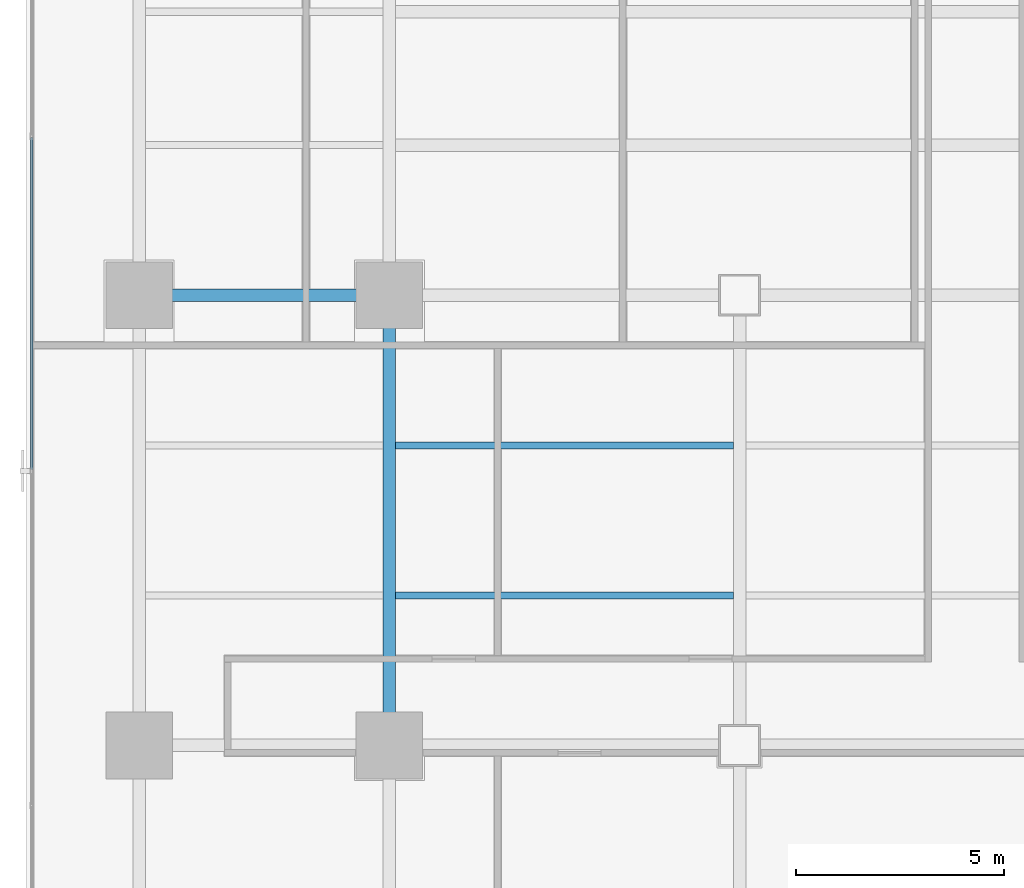
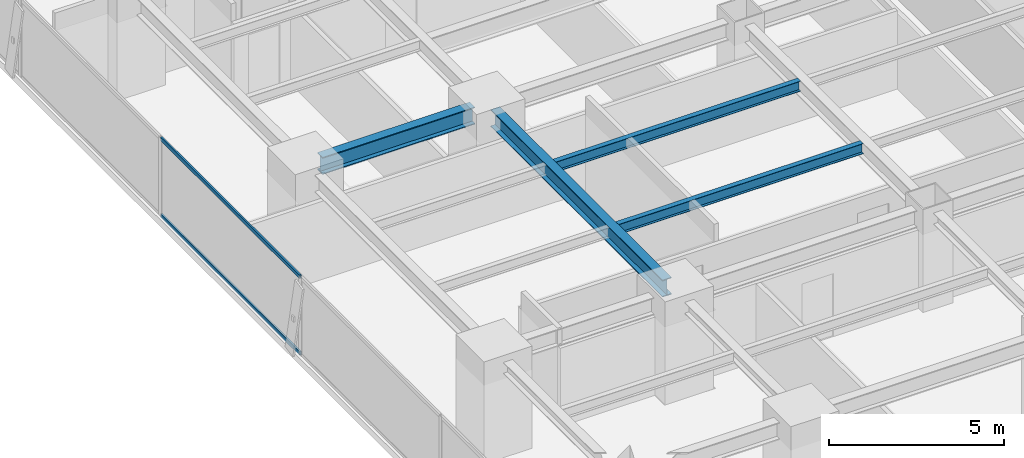
# One storey, part 9 of 34: 4 beams, 2 members, 1 element without a shape of its own.
"""IFC4 building model written with IfcOpenShell, lengths in metres."""

from ifc_helpers import new_model, si_unit, direction, frame, origin, origin_2d, place, context, subcontext, project, spatial, hollow_rectangle, i_section, extrude, source, transform, mapped, material, layer, layer_set, material_profile, profile_set, type_object, element, aggregate, save


model = new_model("IFC4")

# Units and contexts
model_context = context("Model", 3, precision=1e-05, world=origin(), true_north=direction((0.0, 1.0)))
body_context = subcontext(model_context, "Body", "Model", "MODEL_VIEW")
ifc_project = project(units=[si_unit("LENGTHUNIT", "METRE"), si_unit("AREAUNIT", "SQUARE_METRE"), si_unit("VOLUMEUNIT", "CUBIC_METRE"), si_unit("PLANEANGLEUNIT", "RADIAN"), si_unit("MASSUNIT", "GRAM", prefix="KILO")], contexts=[model_context])

# Site, building, storey
site_placement = place(None, origin())
site = spatial("IfcSite", under=ifc_project, at=site_placement, CompositionType="ELEMENT")
building_placement = place(site_placement, origin())
building = spatial("IfcBuilding", under=site, at=building_placement, Name="Sumidabori Civic Tower", CompositionType="ELEMENT")
storey_placement = place(building_placement, frame((0.0, 0.0, 99.199951171875)))
storey = spatial("IfcBuildingStorey", under=building, at=storey_placement, Name="L25", CompositionType="ELEMENT", Elevation=99.199951171875)

# Beams
ifc_material_1 = material(Name="Steel SN490", Category="steel")
ifc_material_profile_1 = material_profile(ifc_material_1, i_section(OverallWidth=0.300048828125, OverallDepth=0.60009765625, WebThickness=0.015380859375, FlangeThickness=0.030029296875, at=origin_2d()), Name="HE 600 B")
ifc_profile_set_1 = profile_set([ifc_material_profile_1], Name="Steel SN490")
beam_type_1 = type_object("IfcBeamType", Name="BM-GIRD-600", PredefinedType="BEAM", material=ifc_profile_set_1)
shared_shape_1 = source(origin(), body_context, "Body", "SweptSolid", [
    extrude(i_section(OverallWidth=0.300048828125, OverallDepth=0.60009765625, WebThickness=0.015380859375, FlangeThickness=0.030029296875, at=origin_2d()), origin(), (0.0, 0.0, 1.0), 5.0400390625),
])
beam_1_placement = place(storey_placement, frame((-22.320068359375, 0.0, 3.06005859375), z_axis=(1.0, 0.0, 0.0), x_axis=(0.0, 1.0, 0.0)))
element("IfcBeam", 1, at=beam_1_placement, inside=storey, type_object=beam_type_1, Name="Primary Girder L25 GX-13", PredefinedType="BEAM", context=body_context, shape_type="MappedRepresentation", body=[
    mapped(shared_shape_1, transform((0.0, 0.0, 0.0), x_axis=(1.0, 0.0, 0.0), y_axis=(0.0, 1.0, 0.0), z_axis=(0.0, 0.0, 1.0), scale=1.0)),
])
shared_shape_2 = source(origin(), body_context, "Body", "SweptSolid", [
    extrude(i_section(OverallWidth=0.300048828125, OverallDepth=0.60009765625, WebThickness=0.015380859375, FlangeThickness=0.030029296875, at=origin_2d()), origin(), (0.0, 0.0, 1.0), 9.840087890625),
])
beam_2_placement = place(storey_placement, frame((-16.800048828125, -10.320068359375, 3.06005859375), z_axis=(0.0, 1.0, 0.0), x_axis=(-1.0, 0.0, 0.0)))
element("IfcBeam", 2, at=beam_2_placement, inside=storey, type_object=beam_type_1, Name="Primary Girder L25 GY-26", PredefinedType="BEAM", context=body_context, shape_type="MappedRepresentation", body=[
    mapped(shared_shape_2, transform((0.0, 0.0, 0.0), x_axis=(1.0, 0.0, 0.0), y_axis=(0.0, 1.0, 0.0), z_axis=(0.0, 0.0, 1.0), scale=1.0)),
])
ifc_material_profile_2 = material_profile(ifc_material_1, i_section(OverallWidth=0.169921875, OverallDepth=0.360107421875, WebThickness=0.008056640625, FlangeThickness=0.0126953125, at=origin_2d()), Name="IPE 360")
ifc_profile_set_2 = profile_set([ifc_material_profile_2], Name="Steel SN490")
beam_type_2 = type_object("IfcBeamType", Name="BM-JST-360", PredefinedType="JOIST", material=ifc_profile_set_2)
shared_shape_3 = source(origin(), body_context, "Body", "SweptSolid", [
    extrude(i_section(OverallWidth=0.169921875, OverallDepth=0.360107421875, WebThickness=0.008056640625, FlangeThickness=0.0126953125, at=origin_2d()), origin(), (0.0, 0.0, 1.0), 8.099853515625),
])
for number, where, z_axis, x_axis, name in (
    (3, (-16.64990234375, -7.199951171875, 3.179931640625), (1.0, 0.0, 0.0), (0.0, 1.0, 0.0), "South Bay Floor Joist L25 JSTS-59"),
    (4, (-16.64990234375, -3.60009765625, 3.179931640625), (1.0, 0.0, 0.0), (0.0, 1.0, 0.0), "South Bay Floor Joist L25 JSTS-63"),
):
    element("IfcBeam", number, at=place(storey_placement, frame(where, z_axis=z_axis, x_axis=x_axis)), inside=storey, type_object=beam_type_2, Name=name, PredefinedType="JOIST", context=body_context, shape_type="MappedRepresentation", body=[
        mapped(shared_shape_3, transform((0.0, 0.0, 0.0), x_axis=(1.0, 0.0, 0.0), y_axis=(0.0, 1.0, 0.0), z_axis=(0.0, 0.0, 1.0), scale=1.0)),
    ])

# Curtain wall, members
ifc_material_2 = material(Name="Anodised Bronze Aluminium AW-6063-T6", Category="aluminium")
ifc_layer = layer(ifc_material_2, 0.179931640625, Name="Anodised Bronze Aluminium AW-6063-T6")
ifc_layer_set = layer_set([ifc_layer], Name="Anodised Bronze Aluminium AW-6063-T6")
curtain_wall_type = type_object("IfcCurtainWallType", Name="CW-SYS-3", PredefinedType="NOTDEFINED", material=ifc_layer_set)
curtain_wall_placement = place(storey_placement, origin())
curtain_wall = element("IfcCurtainWall", 5, at=curtain_wall_placement, inside=storey, type_object=curtain_wall_type, Name="Curtain Wall CW:L25:R10", PredefinedType="NOTDEFINED")
ifc_material_profile_3 = material_profile(ifc_material_2, hollow_rectangle(XDim=0.06005859375, YDim=0.1298828125, WallThickness=0.0048828125, at=origin_2d()), Name="ALU TRANSOM 130x60")
ifc_profile_set_3 = profile_set([ifc_material_profile_3], Name="Anodised Bronze Aluminium AW-6063-T6")
member_type = type_object("IfcMemberType", Name="CW-TRN-130", PredefinedType="USERDEFINED", material=ifc_profile_set_3)
shared_shape_4 = source(origin(), body_context, "Body", "SweptSolid", [
    extrude(hollow_rectangle(XDim=0.06005859375, YDim=0.1298828125, WallThickness=0.0048828125, at=origin_2d()), origin(), (0.0, 0.0, 1.0), 7.962890625),
])
member_1_placement = place(storey_placement, frame((-25.3798828125, 3.781494140625, 0.030029296875), z_axis=(0.0, -1.0, 0.0), x_axis=(1.0, 0.0, 0.0)))
member_1 = element("IfcMember", 6, at=member_1_placement, type_object=member_type, Name="CW-3 transom 3.1", ObjectType="TRANSOM", PredefinedType="USERDEFINED", context=body_context, shape_type="MappedRepresentation", body=[
    mapped(shared_shape_4, transform((0.0, 0.0, 0.0), x_axis=(1.0, 0.0, 0.0), y_axis=(0.0, 1.0, 0.0), z_axis=(0.0, 0.0, 1.0), scale=1.0)),
])
member_2_placement = place(storey_placement, frame((-25.3798828125, 3.781494140625, 2.7099609375), z_axis=(0.0, -1.0, 0.0), x_axis=(1.0, 0.0, 0.0)))
member_2 = element("IfcMember", 7, at=member_2_placement, type_object=member_type, Name="CW-3 transom 3.2", ObjectType="TRANSOM", PredefinedType="USERDEFINED", context=body_context, shape_type="MappedRepresentation", body=[
    mapped(shared_shape_4, transform((0.0, 0.0, 0.0), x_axis=(1.0, 0.0, 0.0), y_axis=(0.0, 1.0, 0.0), z_axis=(0.0, 0.0, 1.0), scale=1.0)),
])
aggregate(curtain_wall, [member_1, member_2])

save(model, "model.ifc")
